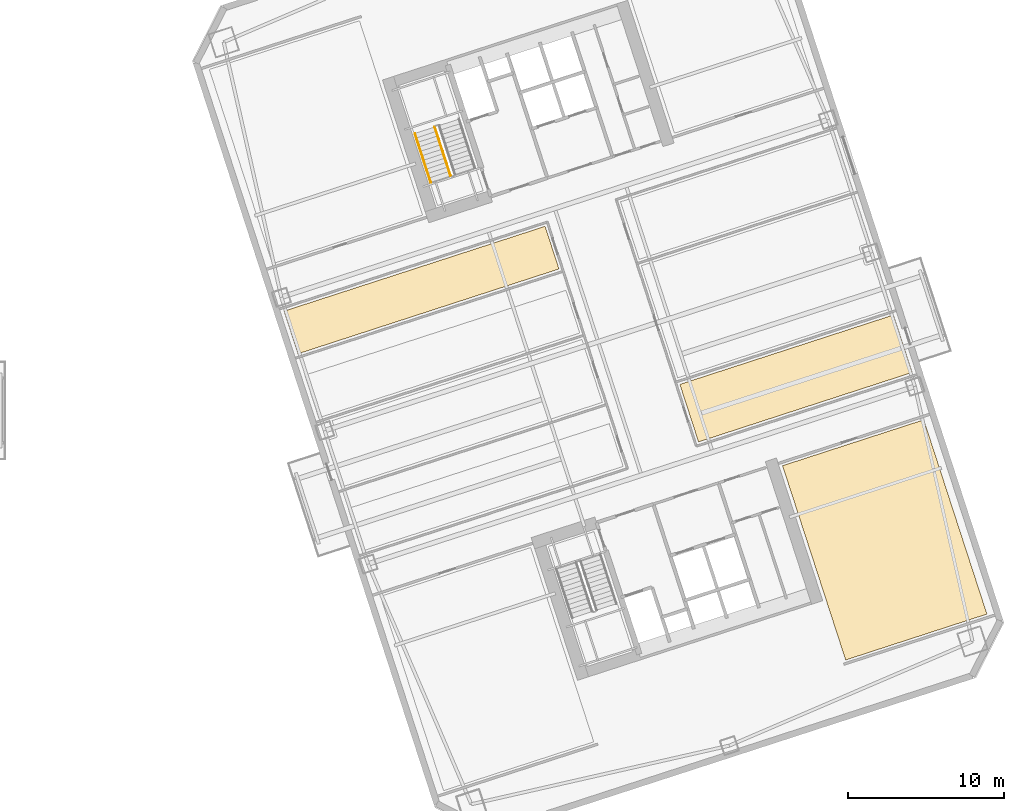
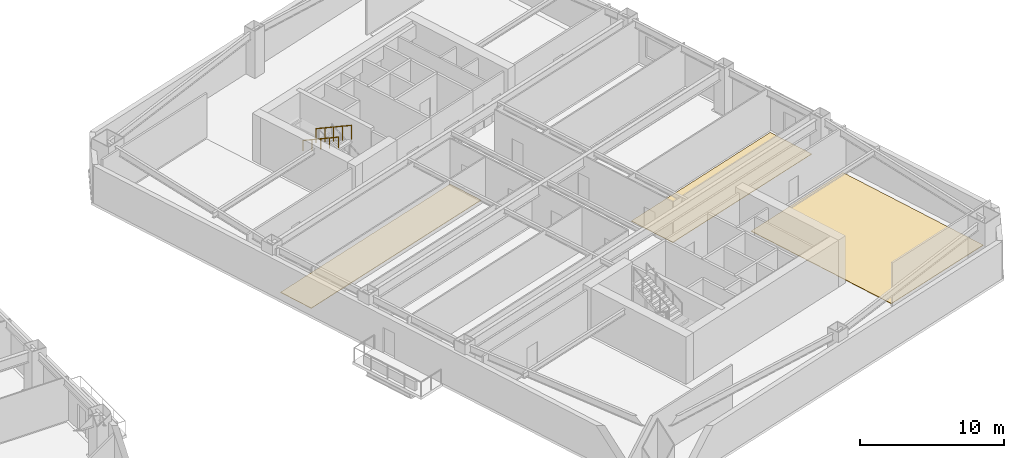
# One storey, part 16 of 18: 3 coverings, 2 railings.
"""IFC4 building model written with IfcOpenShell, lengths in metres."""

from ifc_helpers import new_model, si_unit, direction, frame, origin, origin_2d, place, context, subcontext, project, spatial, polyline, circle, outline, extrude, material, layer, layer_set, type_object, element, save


model = new_model("IFC4")

# Units and contexts
model_context = context("Model", 3, precision=1e-05, world=origin(), true_north=direction((0.0, 1.0)))
body_context = subcontext(model_context, "Body", "Model", "MODEL_VIEW")
ifc_project = project(units=[si_unit("LENGTHUNIT", "METRE"), si_unit("AREAUNIT", "SQUARE_METRE"), si_unit("VOLUMEUNIT", "CUBIC_METRE"), si_unit("PLANEANGLEUNIT", "RADIAN"), si_unit("MASSUNIT", "GRAM", prefix="KILO")], contexts=[model_context])

# Site, building, storey
site_placement = place(None, origin())
site = spatial("IfcSite", under=ifc_project, at=site_placement, CompositionType="ELEMENT")
building_placement = place(site_placement, origin())
building = spatial("IfcBuilding", under=site, at=building_placement, Name="Qiaolan Cultural Towers", CompositionType="ELEMENT")
storey_placement = place(building_placement, frame((0.0, 0.0, 38.0)))
storey = spatial("IfcBuildingStorey", under=building, at=storey_placement, Name="L08", CompositionType="ELEMENT", Elevation=38.0)

# Coverings
ifc_material_1 = material(Name="Honed Terrazzo & Raised Access Flooring", Category="concrete")
ifc_layer = layer(ifc_material_1, 0.0400390625)
ifc_layer_set = layer_set([ifc_layer], Name="Honed Terrazzo & Raised Access Flooring")
covering_type = type_object("IfcCoveringType", Name="COV-FLR-STONE", PredefinedType="FLOORING", material=ifc_layer_set)
covering_1_placement = place(storey_placement, origin())
element("IfcCovering", 1, at=covering_1_placement, inside=storey, type_object=covering_type, Name="L08 Corner Curatorial Research Office Finish Flooring", PredefinedType="FLOORING", context=body_context, shape_type="SweptSolid", body=[
    extrude(outline(polyline([(114.951171875, 16.525146484375), (110.900146484375, 28.993408203125), (101.83642578125, 26.048583984375), (105.8876953125, 13.580078125), (114.951171875, 16.525146484375)])), origin(), (0.0, 0.0, 1.0), 0.0400390625),
])
covering_2_placement = place(storey_placement, origin())
element("IfcCovering", 2, at=covering_2_placement, inside=storey, type_object=covering_type, Name="L08 Staff Lounge Finish Flooring", PredefinedType="FLOORING", context=body_context, shape_type="SweptSolid", body=[
    extrude(outline(polyline([(87.48828125, 38.672607421875), (86.59814453125, 41.41162109375), (69.845458984375, 35.96826171875), (70.7353515625, 33.229248046875), (87.48828125, 38.672607421875)])), origin(), (0.0, 0.0, 1.0), 0.0400390625),
])
covering_3_placement = place(storey_placement, origin())
element("IfcCovering", 3, at=covering_3_placement, inside=storey, type_object=covering_type, Name="L08 Cultural Bookstore Gallery Finish Flooring", PredefinedType="FLOORING", context=body_context, shape_type="SweptSolid", body=[
    extrude(outline(polyline([(110.154541015625, 32.03173828125), (108.95556640625, 35.721923828125), (95.24609375, 31.267333984375), (96.445068359375, 27.577392578125), (110.154541015625, 32.03173828125)])), origin(), (0.0, 0.0, 1.0), 0.0400390625),
])

# Railings
ifc_material_2 = material(Name="Galvanized Painted Steel Stair Guardrail", Category="steel")
railing_type_1 = type_object("IfcRailingType", Name="RL-STAIR-GRD", PredefinedType="GUARDRAIL", material=ifc_material_2)
railing_1_placement = place(storey_placement, frame((79.51708984375, 47.785400390625, 2.166748046875)))
element("IfcRailing", 4, at=railing_1_placement, inside=storey, type_object=railing_type_1, Name="L08 ST-E2 stair guard 3", PredefinedType="GUARDRAIL", context=body_context, shape_type="SweptSolid", body=[
    extrude(circle(Radius=0.02392578125, at=origin_2d()), frame((0.0, 0.0, 1.17578125), z_axis=(0.27012599593, -0.831395691566, 0.485605962039), x_axis=(0.951060160437, 0.309005778636, 0.0)), (0.0, 0.0, 1.0), 3.775146484375),
    extrude(circle(Radius=0.02099609375, at=origin_2d()), origin(), (0.0, 0.0, 1.0), 1.15185546875),
    extrude(circle(Radius=0.02099609375, at=origin_2d()), frame((0.2548828125, -0.78466796875, 0.458251953125)), (0.0, 0.0, 1.0), 1.15185546875),
    extrude(circle(Radius=0.02099609375, at=origin_2d()), frame((0.509765625, -1.5693359375, 0.91650390625)), (0.0, 0.0, 1.0), 1.15185546875),
    extrude(circle(Radius=0.02099609375, at=origin_2d()), frame((0.764892578125, -2.35400390625, 1.375)), (0.0, 0.0, 1.0), 1.15185546875),
    extrude(circle(Radius=0.02099609375, at=origin_2d()), frame((1.019775390625, -3.138671875, 1.833251953125)), (0.0, 0.0, 1.0), 1.15185546875),
])
ifc_material_3 = material(Name="Stainless Steel S30408 Tubular Handrail", Category="steel")
railing_type_2 = type_object("IfcRailingType", Name="RL-STAIR-HR", PredefinedType="HANDRAIL", material=ifc_material_3)
railing_2_placement = place(storey_placement, frame((78.24267578125, 47.37109375, 2.166748046875)))
element("IfcRailing", 5, at=railing_2_placement, inside=storey, type_object=railing_type_2, Name="L08 ST-E2 stair handrail 2", PredefinedType="HANDRAIL", context=body_context, shape_type="SweptSolid", body=[
    extrude(circle(Radius=0.02392578125, at=origin_2d()), frame((0.0, 0.0, 0.8759765625), z_axis=(0.270140520196, -0.831375721119, 0.485632072336), x_axis=(0.951053095941, 0.309027520945, 0.0)), (0.0, 0.0, 1.0), 3.77490234375),
    extrude(circle(Radius=0.02099609375, at=origin_2d()), origin(), (0.0, 0.0, 1.0), 0.851806640625),
    extrude(circle(Radius=0.02099609375, at=origin_2d()), frame((0.2548828125, -0.78466796875, 0.458251953125)), (0.0, 0.0, 1.0), 0.851806640625),
    extrude(circle(Radius=0.02099609375, at=origin_2d()), frame((0.509765625, -1.5693359375, 0.91650390625)), (0.0, 0.0, 1.0), 0.851806640625),
    extrude(circle(Radius=0.02099609375, at=origin_2d()), frame((0.764892578125, -2.353759765625, 1.375)), (0.0, 0.0, 1.0), 0.851806640625),
    extrude(circle(Radius=0.02099609375, at=origin_2d()), frame((1.019775390625, -3.138427734375, 1.833251953125)), (0.0, 0.0, 1.0), 0.851806640625),
])

save(model, "model.ifc")
